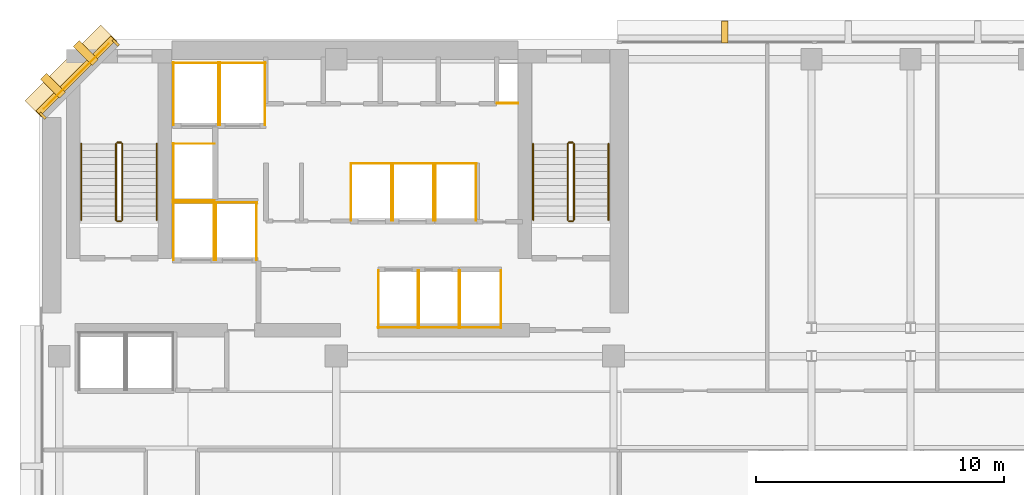
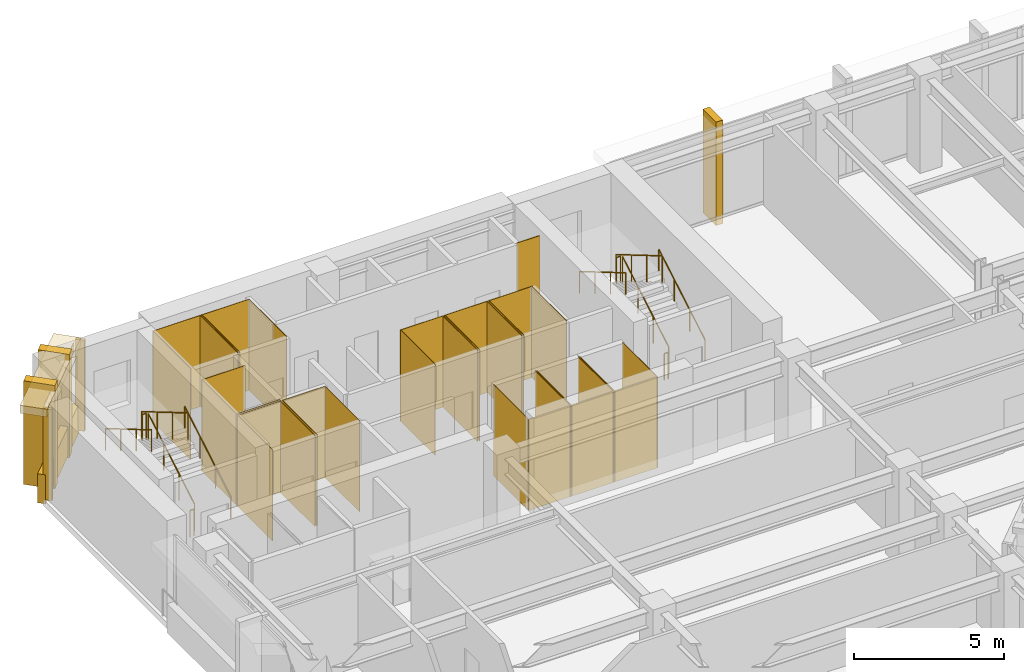
# One storey, part 10 of 11: 42 coverings, 12 railings.
"""IFC4 building model written with IfcOpenShell, lengths in metres."""

import ifcopenshell
import ifcopenshell.guid

model = None  # the IFC model being written
_history = None  # IfcOwnerHistory: only IFC2X3 demands one
_inside = {}  # id of a spatial element -> (the spatial element, [elements in it])
_under = {}  # id of a project, library or spatial element -> (it, [spatial elements below it])
_declared = {}  # id of a project -> (the project, [libraries it declares])
_typed = {}  # id of a type object -> (the type object, [elements of that type])
_made_of = {}  # id of a material, layer set ... -> (it, [elements and type objects made of it])


def new_model(schema):
    """Start an empty IFC model of exactly this schema.

    Asked for "IFC4X3", IfcOpenShell would pick the latest addendum, in which some entities
    have other attributes; the version numbers below select the first issue.
    IFC2X3 requires an IfcOwnerHistory on every rooted entity: one is made here for all.
    """
    global model, _history
    if schema == "IFC4X3":
        model = ifcopenshell.file(schema_version=(4, 3, 0, 0))
    else:
        model = ifcopenshell.file(schema=schema)
    _inside.clear()
    _under.clear()
    _declared.clear()
    _typed.clear()
    _made_of.clear()
    _history = None
    if model.schema == "IFC2X3":
        org = make("IfcOrganization", Name="unknown")
        user = make(
            "IfcPersonAndOrganization",
            ThePerson=make("IfcPerson", FamilyName="unknown"),
            TheOrganization=org,
        )
        app = make(
            "IfcApplication",
            ApplicationDeveloper=org,
            Version="unknown",
            ApplicationFullName="unknown",
            ApplicationIdentifier="unknown",
        )
        _history = make(
            "IfcOwnerHistory",
            OwningUser=user,
            OwningApplication=app,
            ChangeAction="ADDED",
            CreationDate=0,
        )
    return model


def make(cls, **values):
    """One entity of the class cls with the attributes given. An attribute that is None is left unset."""
    return model.create_entity(
        cls, **{name: value for name, value in values.items() if value is not None}
    )


def rooted(cls, **values):
    """An entity with a GlobalId (a new one), such as an element, a storey or a relation."""
    return make(cls, GlobalId=ifcopenshell.guid.new(), OwnerHistory=_history, **values)


def si_unit(unit_type, name, prefix=None):
    """IfcSIUnit, for example si_unit("LENGTHUNIT", "METRE", prefix="MILLI")."""
    return make("IfcSIUnit", UnitType=unit_type, Prefix=prefix, Name=name)


def assignment(units):
    """IfcUnitAssignment: the units of a project."""
    return None if units is None else make("IfcUnitAssignment", Units=units)


def point(xyz):
    """IfcCartesianPoint."""
    return None if xyz is None else make("IfcCartesianPoint", Coordinates=xyz)


def direction(xyz):
    """IfcDirection."""
    return None if xyz is None else make("IfcDirection", DirectionRatios=xyz)


def frame(location, z_axis=None, x_axis=None):
    """IfcAxis2Placement3D, a coordinate frame: its origin and axes. An axis left out is left unset."""
    return make(
        "IfcAxis2Placement3D",
        Location=point(location),
        Axis=direction(z_axis),
        RefDirection=direction(x_axis),
    )


def frame_2d(location, x_axis=None):
    """IfcAxis2Placement2D, a coordinate frame in the plane: its origin and x axis."""
    return make(
        "IfcAxis2Placement2D", Location=point(location), RefDirection=direction(x_axis)
    )


def origin():
    """The frame at (0, 0, 0) with its axes left unset."""
    return frame((0.0, 0.0, 0.0))


def origin_2d():
    """The frame at (0, 0) in the plane with its x axis left unset."""
    return frame_2d((0.0, 0.0))


def place(relative_to, where):
    """IfcLocalPlacement: puts the frame where relative to a parent placement (None: the world)."""
    return make(
        "IfcLocalPlacement", PlacementRelTo=relative_to, RelativePlacement=where
    )


def context(
    kind, dimensions, precision=None, world=None, true_north=None, identifier=None
):
    """IfcGeometricRepresentationContext, for example the 3D "Model" context."""
    return make(
        "IfcGeometricRepresentationContext",
        ContextIdentifier=identifier,
        ContextType=kind,
        CoordinateSpaceDimension=dimensions,
        Precision=precision,
        WorldCoordinateSystem=world,
        TrueNorth=true_north,
    )


def subcontext(parent, identifier, kind, view, scale=None):
    """IfcGeometricRepresentationSubContext, for example "Body" below "Model"."""
    return make(
        "IfcGeometricRepresentationSubContext",
        ContextIdentifier=identifier,
        ContextType=kind,
        ParentContext=parent,
        TargetScale=scale,
        TargetView=view,
    )


def project(units=None, contexts=None):
    """IfcProject with its units and contexts."""
    return rooted(
        "IfcProject",
        Name="project",
        RepresentationContexts=contexts,
        UnitsInContext=assignment(units),
    )


def spatial(cls, under=None, at=None, **own):
    """A site, building, storey or space (cls), placed at a placement, below another one or the project."""
    s = rooted(cls, ObjectPlacement=at, **own)
    if under is not None:
        _under.setdefault(under.id(), (under, []))[1].append(s)
    return s


def polyline(points):
    """IfcPolyline through the points."""
    return make("IfcPolyline", Points=[point(p) for p in points])


def profile(cls, at=None, kind="AREA", **sizes):
    """A parametric profile (cls). Its sizes go by their IFC names, for example OverallWidth=200.0."""
    return make(cls, ProfileType=kind, Position=at, **sizes)


def rectangle(**sizes):
    """IfcRectangleProfileDef."""
    return profile("IfcRectangleProfileDef", **sizes)


def circle(**sizes):
    """IfcCircleProfileDef."""
    return profile("IfcCircleProfileDef", **sizes)


def outline(outer, holes=None, kind="AREA"):
    """IfcArbitraryClosedProfileDef: a profile drawn as a closed curve; with holes, ...WithVoids."""
    if holes is None:
        return make("IfcArbitraryClosedProfileDef", ProfileType=kind, OuterCurve=outer)
    return make(
        "IfcArbitraryProfileDefWithVoids",
        ProfileType=kind,
        OuterCurve=outer,
        InnerCurves=holes,
    )


def extrude(swept, where, along, depth):
    """IfcExtrudedAreaSolid: the profile swept, set in the frame where, extruded along a direction by depth."""
    return make(
        "IfcExtrudedAreaSolid",
        SweptArea=swept,
        Position=where,
        ExtrudedDirection=direction(along),
        Depth=depth,
    )


def shape(context_of_items, identifier, shape_type, items):
    """IfcShapeRepresentation: the items that make up one representation, for example the "Body"."""
    return make(
        "IfcShapeRepresentation",
        ContextOfItems=context_of_items,
        RepresentationIdentifier=identifier,
        RepresentationType=shape_type,
        Items=items,
    )


def material(Name=None, Category=None):
    """IfcMaterial."""
    return make("IfcMaterial", Name=Name, Category=Category)


def layer(
    of_material, thickness, ventilated=None, Name=None, Category=None, Priority=None
):
    """IfcMaterialLayer: one layer of a wall or slab, of a material (None: an air gap)."""
    return make(
        "IfcMaterialLayer",
        Material=of_material,
        LayerThickness=thickness,
        IsVentilated=ventilated,
        Name=Name,
        Category=Category,
        Priority=Priority,
    )


def layer_set(layers, Name=None):
    """IfcMaterialLayerSet."""
    return make("IfcMaterialLayerSet", MaterialLayers=layers, LayerSetName=Name)


def made_of(thing, what):
    """Note that an element or type object is made of a material, layer set ...; save() writes the relation."""
    if what is not None:
        _made_of.setdefault(what.id(), (what, []))[1].append(thing)
    return thing


def type_object(cls, material=None, **own):
    """A type object (cls), such as IfcWallType, which elements share."""
    return made_of(rooted(cls, **own), material)


def element(
    cls,
    number,
    at=None,
    inside=None,
    cuts=None,
    type_object=None,
    material=None,
    context=None,
    identifier="Body",
    shape_type=None,
    held_by="IfcProductDefinitionShape",
    body=None,
    shapes=None,
    **own,
):
    """One element of the class cls, such as IfcWall. Its Tag is "e" and its number.

    at: its placement. inside: the storey or other place that contains it. cuts: it is an
    opening in that element (IfcRelVoidsElement). A single representation is given by context,
    identifier, shape_type and body (its items); several are given by shapes. held_by: the class
    of the entity that holds the representations. save() writes the other relations.
    """
    e = rooted(cls, Tag="e%d" % number, ObjectPlacement=at, **own)
    if body is not None:
        shapes = [shape(context, identifier, shape_type, body)]
    if shapes is not None:
        e.Representation = make(held_by, Representations=shapes)
    if inside is not None:
        _inside.setdefault(inside.id(), (inside, []))[1].append(e)
    if cuts is not None:
        rooted(
            "IfcRelVoidsElement", RelatingBuildingElement=cuts, RelatedOpeningElement=e
        )
    if type_object is not None:
        _typed.setdefault(type_object.id(), (type_object, []))[1].append(e)
    return made_of(e, material)


def aggregate(whole, parts):
    """IfcRelAggregates: a whole, such as a stair, and the parts it consists of."""
    return rooted("IfcRelAggregates", RelatingObject=whole, RelatedObjects=parts)


def save(model, path):
    """Write the relations noted so far, then the file.

    IfcRelAggregates (storeys below a building ...), IfcRelContainedInSpatialStructure (elements
    in a storey), IfcRelDefinesByType, IfcRelAssociatesMaterial and IfcRelDeclares: one each for
    every whole, place, type object, material and project.
    """
    for whole, parts in _under.values():
        aggregate(whole, parts)
    for where, things in _inside.values():
        rooted(
            "IfcRelContainedInSpatialStructure",
            RelatedElements=things,
            RelatingStructure=where,
        )
    for kind, things in _typed.values():
        rooted("IfcRelDefinesByType", RelatedObjects=things, RelatingType=kind)
    for what, things in _made_of.values():
        rooted("IfcRelAssociatesMaterial", RelatedObjects=things, RelatingMaterial=what)
    for by, libraries in _declared.values():
        rooted("IfcRelDeclares", RelatingContext=by, RelatedDefinitions=libraries)
    model.write(path)


model = new_model("IFC4")

# Units and contexts
model_context = context("Model", 3, precision=1e-05, world=origin(), true_north=direction((0.0, 1.0)))
body_context = subcontext(model_context, "Body", "Model", "MODEL_VIEW")
ifc_project = project(units=[si_unit("LENGTHUNIT", "METRE"), si_unit("AREAUNIT", "SQUARE_METRE"), si_unit("VOLUMEUNIT", "CUBIC_METRE"), si_unit("PLANEANGLEUNIT", "RADIAN"), si_unit("MASSUNIT", "GRAM", prefix="KILO")], contexts=[model_context])

# Site, building, storey
site_placement = place(None, origin())
site = spatial("IfcSite", under=ifc_project, at=site_placement, CompositionType="ELEMENT")
building_placement = place(site_placement, origin())
building = spatial("IfcBuilding", under=site, at=building_placement, Name="Kefirva Bronze Tower", CompositionType="ELEMENT")
storey_placement = place(building_placement, frame((0.0, 0.0, 134.969970703125)))
storey = spatial("IfcBuildingStorey", under=building, at=storey_placement, Name="L32", CompositionType="ELEMENT", Elevation=134.969970703125)

# Coverings
ifc_material_1 = material(Name="Bronze anodised aluminium", Category="aluminium")
ifc_layer_1 = layer(ifc_material_1, 0.02001953125, Name="Bronze anodised aluminium")
ifc_layer_set_1 = layer_set([ifc_layer_1], Name="Bronze anodised aluminium")
covering_type_1 = type_object("IfcCoveringType", Name="Anodised Bronze Spandrel Cladding 20mm", PredefinedType="CLADDING", material=ifc_layer_set_1)
covering_1_placement = place(storey_placement, frame((1.492919921875, 44.507080078125, 3.2900390625), z_axis=(0.0, 0.0, 1.0), x_axis=(-0.707106781187, -0.707106781187, 0.0)))
element("IfcCovering", 1, at=covering_1_placement, inside=storey, type_object=covering_type_1, Name="L32 Bronze Spandrel Cladding 5", PredefinedType="CLADDING", context=body_context, shape_type="SweptSolid", body=[
    extrude(rectangle(XDim=3.719482421875, YDim=0.02001953125, at=origin_2d()), origin(), (0.0, 0.0, 1.0), 0.39990234375),
])
for number, where, z_axis, x_axis, name in (
    (2, (3.08837890625, 45.862060546875, 0.0), (0.0, 0.0, 1.0), (-0.707106781187, -0.707106781187, 0.0), "L32 Facade Joint Closure Panel 5S"),
    (3, (0.137939453125, 42.91162109375, 0.0), (0.0, 0.0, 1.0), (-0.707106781187, -0.707106781187, 0.0), "L32 Facade Joint Closure Panel 5E"),
):
    element("IfcCovering", number, at=place(storey_placement, frame(where, z_axis=z_axis, x_axis=x_axis)), inside=storey, type_object=covering_type_1, Name=name, PredefinedType="CLADDING", context=body_context, shape_type="SweptSolid", body=[
        extrude(rectangle(XDim=0.10009765625, YDim=0.320068359375, at=origin_2d()), origin(), (0.0, 0.0, 1.0), 3.7099609375),
    ])
covering_2_placement = place(storey_placement, frame((1.4716796875, 44.5283203125, -0.16015625), z_axis=(0.0, 0.0, 1.0), x_axis=(-0.707106781187, -0.707106781187, 0.0)))
element("IfcCovering", 4, at=covering_2_placement, inside=storey, type_object=covering_type_1, Name="L32 Streamline Horizontal Spandrel Band 9", PredefinedType="CLADDING", context=body_context, shape_type="SweptSolid", body=[
    extrude(rectangle(XDim=4.28271484375, YDim=0.280029296875, at=origin_2d()), origin(), (0.0, 0.0, 1.0), 1.179931640625),
])
covering_3_placement = place(storey_placement, origin())
element("IfcCovering", 5, at=covering_3_placement, inside=storey, type_object=covering_type_1, Name="L32 Lift FF1 Hoistway Liner N", PredefinedType="CLADDING", context=body_context, shape_type="SweptSolid", body=[
    extrude(outline(polyline([(5.39990234375, 39.389892578125), (7.080078125, 39.389892578125), (7.080078125, 39.409912109375), (5.39990234375, 39.409912109375), (5.39990234375, 39.389892578125)])), origin(), (0.0, 0.0, 1.0), 3.7099609375),
])
covering_4_placement = place(storey_placement, origin())
element("IfcCovering", 6, at=covering_4_placement, inside=storey, type_object=covering_type_1, Name="L32 Lift FF1 Hoistway Liner W", PredefinedType="CLADDING", context=body_context, shape_type="SweptSolid", body=[
    extrude(outline(polyline([(5.409912109375, 37.080078125), (5.429931640625, 37.080078125), (5.429931640625, 39.419921875), (5.409912109375, 39.419921875), (5.409912109375, 37.080078125)])), origin(), (0.0, 0.0, 1.0), 3.7099609375),
])
covering_5_placement = place(storey_placement, origin())
element("IfcCovering", 7, at=covering_5_placement, inside=storey, type_object=covering_type_1, Name="L32 Lift FF1 Hoistway Liner E", PredefinedType="CLADDING", context=body_context, shape_type="SweptSolid", body=[
    extrude(outline(polyline([(7.050048828125, 37.080078125), (7.070068359375, 37.080078125), (7.070068359375, 39.419921875), (7.050048828125, 39.419921875), (7.050048828125, 37.080078125)])), origin(), (0.0, 0.0, 1.0), 3.7099609375),
])
covering_6_placement = place(storey_placement, origin())
element("IfcCovering", 8, at=covering_6_placement, inside=storey, type_object=covering_type_1, Name="L32 Lift FF2 Hoistway Liner N", PredefinedType="CLADDING", context=body_context, shape_type="SweptSolid", body=[
    extrude(outline(polyline([(7.1201171875, 39.389892578125), (8.800048828125, 39.389892578125), (8.800048828125, 39.409912109375), (7.1201171875, 39.409912109375), (7.1201171875, 39.389892578125)])), origin(), (0.0, 0.0, 1.0), 3.7099609375),
])
covering_7_placement = place(storey_placement, origin())
element("IfcCovering", 9, at=covering_7_placement, inside=storey, type_object=covering_type_1, Name="L32 Lift FF2 Hoistway Liner W", PredefinedType="CLADDING", context=body_context, shape_type="SweptSolid", body=[
    extrude(outline(polyline([(7.1298828125, 37.080078125), (7.14990234375, 37.080078125), (7.14990234375, 39.419921875), (7.1298828125, 39.419921875), (7.1298828125, 37.080078125)])), origin(), (0.0, 0.0, 1.0), 3.7099609375),
])
covering_8_placement = place(storey_placement, origin())
element("IfcCovering", 10, at=covering_8_placement, inside=storey, type_object=covering_type_1, Name="L32 Lift FF2 Hoistway Liner E", PredefinedType="CLADDING", context=body_context, shape_type="SweptSolid", body=[
    extrude(outline(polyline([(8.77001953125, 37.080078125), (8.7900390625, 37.080078125), (8.7900390625, 39.419921875), (8.77001953125, 39.419921875), (8.77001953125, 37.080078125)])), origin(), (0.0, 0.0, 1.0), 3.7099609375),
])
covering_9_placement = place(storey_placement, origin())
element("IfcCovering", 11, at=covering_9_placement, inside=storey, type_object=covering_type_1, Name="L32 Lift SV1 Hoistway Liner N", PredefinedType="CLADDING", context=body_context, shape_type="SweptSolid", body=[
    extrude(outline(polyline([(5.39990234375, 45.0400390625), (7.260009765625, 45.0400390625), (7.260009765625, 45.06005859375), (5.39990234375, 45.06005859375), (5.39990234375, 45.0400390625)])), origin(), (0.0, 0.0, 1.0), 3.7099609375),
])
covering_10_placement = place(storey_placement, origin())
element("IfcCovering", 12, at=covering_10_placement, inside=storey, type_object=covering_type_1, Name="L32 Lift SV1 Hoistway Liner W", PredefinedType="CLADDING", context=body_context, shape_type="SweptSolid", body=[
    extrude(outline(polyline([(5.409912109375, 42.530029296875), (5.429931640625, 42.530029296875), (5.429931640625, 45.070068359375), (5.409912109375, 45.070068359375), (5.409912109375, 42.530029296875)])), origin(), (0.0, 0.0, 1.0), 3.7099609375),
])
covering_11_placement = place(storey_placement, origin())
element("IfcCovering", 13, at=covering_11_placement, inside=storey, type_object=covering_type_1, Name="L32 Lift SV1 Hoistway Liner E", PredefinedType="CLADDING", context=body_context, shape_type="SweptSolid", body=[
    extrude(outline(polyline([(7.22998046875, 42.530029296875), (7.25, 42.530029296875), (7.25, 45.070068359375), (7.22998046875, 45.070068359375), (7.22998046875, 42.530029296875)])), origin(), (0.0, 0.0, 1.0), 3.7099609375),
])
covering_12_placement = place(storey_placement, origin())
element("IfcCovering", 14, at=covering_12_placement, inside=storey, type_object=covering_type_1, Name="L32 Lift SV2 Hoistway Liner N", PredefinedType="CLADDING", context=body_context, shape_type="SweptSolid", body=[
    extrude(outline(polyline([(7.280029296875, 45.0400390625), (9.139892578125, 45.0400390625), (9.139892578125, 45.06005859375), (7.280029296875, 45.06005859375), (7.280029296875, 45.0400390625)])), origin(), (0.0, 0.0, 1.0), 3.7099609375),
])
covering_13_placement = place(storey_placement, origin())
element("IfcCovering", 15, at=covering_13_placement, inside=storey, type_object=covering_type_1, Name="L32 Lift SV2 Hoistway Liner W", PredefinedType="CLADDING", context=body_context, shape_type="SweptSolid", body=[
    extrude(outline(polyline([(7.2900390625, 42.530029296875), (7.31005859375, 42.530029296875), (7.31005859375, 45.070068359375), (7.2900390625, 45.070068359375), (7.2900390625, 42.530029296875)])), origin(), (0.0, 0.0, 1.0), 3.7099609375),
])
covering_14_placement = place(storey_placement, origin())
element("IfcCovering", 16, at=covering_14_placement, inside=storey, type_object=covering_type_1, Name="L32 Lift SV2 Hoistway Liner E", PredefinedType="CLADDING", context=body_context, shape_type="SweptSolid", body=[
    extrude(outline(polyline([(9.110107421875, 42.530029296875), (9.1298828125, 42.530029296875), (9.1298828125, 45.070068359375), (9.110107421875, 45.070068359375), (9.110107421875, 42.530029296875)])), origin(), (0.0, 0.0, 1.0), 3.7099609375),
])
covering_15_placement = place(storey_placement, origin())
element("IfcCovering", 17, at=covering_15_placement, inside=storey, type_object=covering_type_1, Name="L32 Lift MP1 Hoistway Liner S", PredefinedType="CLADDING", context=body_context, shape_type="SweptSolid", body=[
    extrude(outline(polyline([(13.679931640625, 34.340087890625), (15.320068359375, 34.340087890625), (15.320068359375, 34.360107421875), (13.679931640625, 34.360107421875), (13.679931640625, 34.340087890625)])), origin(), (0.0, 0.0, 1.0), 3.7099609375),
])
covering_16_placement = place(storey_placement, origin())
element("IfcCovering", 18, at=covering_16_placement, inside=storey, type_object=covering_type_1, Name="L32 Lift MP1 Hoistway Liner W", PredefinedType="CLADDING", context=body_context, shape_type="SweptSolid", body=[
    extrude(outline(polyline([(13.68994140625, 34.330078125), (13.7099609375, 34.330078125), (13.7099609375, 36.669921875), (13.68994140625, 36.669921875), (13.68994140625, 34.330078125)])), origin(), (0.0, 0.0, 1.0), 3.7099609375),
])
covering_17_placement = place(storey_placement, origin())
element("IfcCovering", 19, at=covering_17_placement, inside=storey, type_object=covering_type_1, Name="L32 Lift MP1 Hoistway Liner E", PredefinedType="CLADDING", context=body_context, shape_type="SweptSolid", body=[
    extrude(outline(polyline([(15.2900390625, 34.330078125), (15.31005859375, 34.330078125), (15.31005859375, 36.669921875), (15.2900390625, 36.669921875), (15.2900390625, 34.330078125)])), origin(), (0.0, 0.0, 1.0), 3.7099609375),
])
covering_18_placement = place(storey_placement, origin())
element("IfcCovering", 20, at=covering_18_placement, inside=storey, type_object=covering_type_1, Name="L32 Lift MP2 Hoistway Liner S", PredefinedType="CLADDING", context=body_context, shape_type="SweptSolid", body=[
    extrude(outline(polyline([(15.330078125, 34.340087890625), (16.969970703125, 34.340087890625), (16.969970703125, 34.360107421875), (15.330078125, 34.360107421875), (15.330078125, 34.340087890625)])), origin(), (0.0, 0.0, 1.0), 3.7099609375),
])
covering_19_placement = place(storey_placement, origin())
element("IfcCovering", 21, at=covering_19_placement, inside=storey, type_object=covering_type_1, Name="L32 Lift MP2 Hoistway Liner W", PredefinedType="CLADDING", context=body_context, shape_type="SweptSolid", body=[
    extrude(outline(polyline([(15.340087890625, 34.330078125), (15.360107421875, 34.330078125), (15.360107421875, 36.669921875), (15.340087890625, 36.669921875), (15.340087890625, 34.330078125)])), origin(), (0.0, 0.0, 1.0), 3.7099609375),
])
covering_20_placement = place(storey_placement, origin())
element("IfcCovering", 22, at=covering_20_placement, inside=storey, type_object=covering_type_1, Name="L32 Lift MP2 Hoistway Liner E", PredefinedType="CLADDING", context=body_context, shape_type="SweptSolid", body=[
    extrude(outline(polyline([(16.93994140625, 34.330078125), (16.9599609375, 34.330078125), (16.9599609375, 36.669921875), (16.93994140625, 36.669921875), (16.93994140625, 34.330078125)])), origin(), (0.0, 0.0, 1.0), 3.7099609375),
])
covering_21_placement = place(storey_placement, origin())
element("IfcCovering", 23, at=covering_21_placement, inside=storey, type_object=covering_type_1, Name="L32 Lift MP3 Hoistway Liner N", PredefinedType="CLADDING", context=body_context, shape_type="SweptSolid", body=[
    extrude(outline(polyline([(12.580078125, 40.969970703125), (14.25, 40.969970703125), (14.25, 40.989990234375), (12.580078125, 40.989990234375), (12.580078125, 40.969970703125)])), origin(), (0.0, 0.0, 1.0), 3.7099609375),
])
covering_22_placement = place(storey_placement, origin())
element("IfcCovering", 24, at=covering_22_placement, inside=storey, type_object=covering_type_1, Name="L32 Lift MP3 Hoistway Liner W", PredefinedType="CLADDING", context=body_context, shape_type="SweptSolid", body=[
    extrude(outline(polyline([(12.590087890625, 38.659912109375), (12.610107421875, 38.659912109375), (12.610107421875, 41.0), (12.590087890625, 41.0), (12.590087890625, 38.659912109375)])), origin(), (0.0, 0.0, 1.0), 3.7099609375),
])
covering_23_placement = place(storey_placement, origin())
element("IfcCovering", 25, at=covering_23_placement, inside=storey, type_object=covering_type_1, Name="L32 Lift MP3 Hoistway Liner E", PredefinedType="CLADDING", context=body_context, shape_type="SweptSolid", body=[
    extrude(outline(polyline([(14.219970703125, 38.659912109375), (14.239990234375, 38.659912109375), (14.239990234375, 41.0), (14.219970703125, 41.0), (14.219970703125, 38.659912109375)])), origin(), (0.0, 0.0, 1.0), 3.7099609375),
])
covering_24_placement = place(storey_placement, origin())
element("IfcCovering", 26, at=covering_24_placement, inside=storey, type_object=covering_type_1, Name="L32 Lift MP4 Hoistway Liner N", PredefinedType="CLADDING", context=body_context, shape_type="SweptSolid", body=[
    extrude(outline(polyline([(14.280029296875, 40.969970703125), (15.949951171875, 40.969970703125), (15.949951171875, 40.989990234375), (14.280029296875, 40.989990234375), (14.280029296875, 40.969970703125)])), origin(), (0.0, 0.0, 1.0), 3.7099609375),
])
covering_25_placement = place(storey_placement, origin())
element("IfcCovering", 27, at=covering_25_placement, inside=storey, type_object=covering_type_1, Name="L32 Lift MP4 Hoistway Liner W", PredefinedType="CLADDING", context=body_context, shape_type="SweptSolid", body=[
    extrude(outline(polyline([(14.2900390625, 38.659912109375), (14.31005859375, 38.659912109375), (14.31005859375, 41.0), (14.2900390625, 41.0), (14.2900390625, 38.659912109375)])), origin(), (0.0, 0.0, 1.0), 3.7099609375),
])
covering_26_placement = place(storey_placement, origin())
element("IfcCovering", 28, at=covering_26_placement, inside=storey, type_object=covering_type_1, Name="L32 Lift MP4 Hoistway Liner E", PredefinedType="CLADDING", context=body_context, shape_type="SweptSolid", body=[
    extrude(outline(polyline([(15.919921875, 38.659912109375), (15.93994140625, 38.659912109375), (15.93994140625, 41.0), (15.919921875, 41.0), (15.919921875, 38.659912109375)])), origin(), (0.0, 0.0, 1.0), 3.7099609375),
])
covering_27_placement = place(storey_placement, origin())
element("IfcCovering", 29, at=covering_27_placement, inside=storey, type_object=covering_type_1, Name="L32 Lift HP1 Hoistway Liner S", PredefinedType="CLADDING", context=body_context, shape_type="SweptSolid", body=[
    extrude(outline(polyline([(16.97998046875, 34.340087890625), (18.669921875, 34.340087890625), (18.669921875, 34.360107421875), (16.97998046875, 34.360107421875), (16.97998046875, 34.340087890625)])), origin(), (0.0, 0.0, 1.0), 3.7099609375),
])
covering_28_placement = place(storey_placement, origin())
element("IfcCovering", 30, at=covering_28_placement, inside=storey, type_object=covering_type_1, Name="L32 Lift HP1 Hoistway Liner W", PredefinedType="CLADDING", context=body_context, shape_type="SweptSolid", body=[
    extrude(outline(polyline([(16.989990234375, 34.330078125), (17.010009765625, 34.330078125), (17.010009765625, 36.669921875), (16.989990234375, 36.669921875), (16.989990234375, 34.330078125)])), origin(), (0.0, 0.0, 1.0), 3.7099609375),
])
covering_29_placement = place(storey_placement, origin())
element("IfcCovering", 31, at=covering_29_placement, inside=storey, type_object=covering_type_1, Name="L32 Lift HP1 Hoistway Liner E", PredefinedType="CLADDING", context=body_context, shape_type="SweptSolid", body=[
    extrude(outline(polyline([(18.639892578125, 34.330078125), (18.659912109375, 34.330078125), (18.659912109375, 36.669921875), (18.639892578125, 36.669921875), (18.639892578125, 34.330078125)])), origin(), (0.0, 0.0, 1.0), 3.7099609375),
])
covering_30_placement = place(storey_placement, origin())
element("IfcCovering", 32, at=covering_30_placement, inside=storey, type_object=covering_type_1, Name="L32 Lift HP2 Hoistway Liner N", PredefinedType="CLADDING", context=body_context, shape_type="SweptSolid", body=[
    extrude(outline(polyline([(15.97998046875, 40.969970703125), (17.669921875, 40.969970703125), (17.669921875, 40.989990234375), (15.97998046875, 40.989990234375), (15.97998046875, 40.969970703125)])), origin(), (0.0, 0.0, 1.0), 3.7099609375),
])
covering_31_placement = place(storey_placement, origin())
element("IfcCovering", 33, at=covering_31_placement, inside=storey, type_object=covering_type_1, Name="L32 Lift HP2 Hoistway Liner W", PredefinedType="CLADDING", context=body_context, shape_type="SweptSolid", body=[
    extrude(outline(polyline([(15.989990234375, 38.659912109375), (16.010009765625, 38.659912109375), (16.010009765625, 41.0), (15.989990234375, 41.0), (15.989990234375, 38.659912109375)])), origin(), (0.0, 0.0, 1.0), 3.7099609375),
])
covering_32_placement = place(storey_placement, origin())
element("IfcCovering", 34, at=covering_32_placement, inside=storey, type_object=covering_type_1, Name="L32 Lift HP2 Hoistway Liner E", PredefinedType="CLADDING", context=body_context, shape_type="SweptSolid", body=[
    extrude(outline(polyline([(17.639892578125, 38.659912109375), (17.659912109375, 38.659912109375), (17.659912109375, 41.0), (17.639892578125, 41.0), (17.639892578125, 38.659912109375)])), origin(), (0.0, 0.0, 1.0), 3.7099609375),
])
covering_33_placement = place(storey_placement, origin())
element("IfcCovering", 35, at=covering_33_placement, inside=storey, type_object=covering_type_1, Name="L32 Lift HP3 Hoistway Liner N", PredefinedType="CLADDING", context=body_context, shape_type="SweptSolid", body=[
    extrude(outline(polyline([(5.39990234375, 41.77001953125), (7.080078125, 41.77001953125), (7.080078125, 41.7900390625), (5.39990234375, 41.7900390625), (5.39990234375, 41.77001953125)])), origin(), (0.0, 0.0, 1.0), 3.7099609375),
])
covering_34_placement = place(storey_placement, origin())
element("IfcCovering", 36, at=covering_34_placement, inside=storey, type_object=covering_type_1, Name="L32 Lift HP3 Hoistway Liner S", PredefinedType="CLADDING", context=body_context, shape_type="SweptSolid", body=[
    extrude(outline(polyline([(5.39990234375, 39.469970703125), (7.080078125, 39.469970703125), (7.080078125, 39.489990234375), (5.39990234375, 39.489990234375), (5.39990234375, 39.469970703125)])), origin(), (0.0, 0.0, 1.0), 3.7099609375),
])
covering_35_placement = place(storey_placement, origin())
element("IfcCovering", 37, at=covering_35_placement, inside=storey, type_object=covering_type_1, Name="L32 Lift HP3 Hoistway Liner W", PredefinedType="CLADDING", context=body_context, shape_type="SweptSolid", body=[
    extrude(outline(polyline([(5.409912109375, 39.4599609375), (5.429931640625, 39.4599609375), (5.429931640625, 41.800048828125), (5.409912109375, 41.800048828125), (5.409912109375, 39.4599609375)])), origin(), (0.0, 0.0, 1.0), 3.7099609375),
])
covering_36_placement = place(storey_placement, origin())
element("IfcCovering", 38, at=covering_36_placement, inside=storey, type_object=covering_type_1, Name="L32 Core MEP Riser Shaft Liner South", PredefinedType="CLADDING", context=body_context, shape_type="SweptSolid", body=[
    extrude(outline(polyline([(18.47998046875, 43.39990234375), (19.360107421875, 43.39990234375), (19.360107421875, 43.429931640625), (18.47998046875, 43.429931640625), (18.47998046875, 43.39990234375)])), origin(), (0.0, 0.0, 1.0), 3.7099609375),
])

# Railings
ifc_material_2 = material(Name="Stainless steel 316", Category="steel")
railing_type_1 = type_object("IfcRailingType", Name="Interior Stair Guardrail 1100mm", PredefinedType="GUARDRAIL", material=ifc_material_2)
railing_1_placement = place(storey_placement, frame((3.35009765625, 38.699951171875, 0.1650390625)))
element("IfcRailing", 39, at=railing_1_placement, inside=storey, type_object=railing_type_1, Name="L32 ST-1 stair guard 1", PredefinedType="GUARDRAIL", context=body_context, shape_type="SweptSolid", body=[
    extrude(circle(Radius=0.02392578125, at=origin_2d()), frame((0.0, 0.0, 1.076171875), z_axis=(0.0, 0.861551262678, 0.507670583921), x_axis=(-1.0, 0.0, 0.0)), (0.0, 0.0, 1.0), 3.574951171875),
    extrude(circle(Radius=0.02099609375, at=origin_2d()), origin(), (0.0, 0.0, 1.0), 1.052001953125),
    extrude(circle(Radius=0.02099609375, at=origin_2d()), frame((0.0, 1.026611328125, 0.60498046875)), (0.0, 0.0, 1.0), 1.052001953125),
    extrude(circle(Radius=0.02099609375, at=origin_2d()), frame((0.0, 2.053466796875, 1.2099609375)), (0.0, 0.0, 1.0), 1.052001953125),
    extrude(circle(Radius=0.02099609375, at=origin_2d()), frame((0.0, 3.080078125, 1.81494140625)), (0.0, 0.0, 1.0), 1.052001953125),
])
railing_2_placement = place(storey_placement, frame((3.300048828125, 41.830078125, 1.97998046875)))
element("IfcRailing", 40, at=railing_2_placement, inside=storey, type_object=railing_type_1, Name="L32 ST-1 stair guard 2", PredefinedType="GUARDRAIL", context=body_context, shape_type="SweptSolid", body=[
    extrude(circle(Radius=0.02392578125, at=origin_2d()), frame((0.0, 0.0, 1.076171875), z_axis=(-1.0, 0.0, 0.0), x_axis=(0.0, -1.0, 0.0)), (0.0, 0.0, 1.0), 0.150146484375),
    extrude(circle(Radius=0.02099609375, at=origin_2d()), origin(), (0.0, 0.0, 1.0), 1.052001953125),
    extrude(circle(Radius=0.02099609375, at=origin_2d()), frame((-0.150146484375, 0.0, 0.0)), (0.0, 0.0, 1.0), 1.052001953125),
])
railing_3_placement = place(storey_placement, frame((3.10009765625, 41.780029296875, 2.14501953125)))
element("IfcRailing", 41, at=railing_3_placement, inside=storey, type_object=railing_type_1, Name="L32 ST-1 stair guard 3", PredefinedType="GUARDRAIL", context=body_context, shape_type="SweptSolid", body=[
    extrude(circle(Radius=0.02392578125, at=origin_2d()), frame((0.0, 0.0, 1.076171875), z_axis=(0.0, -0.861551262678, 0.507670583921), x_axis=(1.0, 0.0, 0.0)), (0.0, 0.0, 1.0), 3.574951171875),
    extrude(circle(Radius=0.02099609375, at=origin_2d()), origin(), (0.0, 0.0, 1.0), 1.052001953125),
    extrude(circle(Radius=0.02099609375, at=origin_2d()), frame((0.0, -1.026611328125, 0.60498046875)), (0.0, 0.0, 1.0), 1.052001953125),
    extrude(circle(Radius=0.02099609375, at=origin_2d()), frame((0.0, -2.053466796875, 1.2099609375)), (0.0, 0.0, 1.0), 1.052001953125),
    extrude(circle(Radius=0.02099609375, at=origin_2d()), frame((0.0, -3.080078125, 1.81494140625)), (0.0, 0.0, 1.0), 1.052001953125),
])
railing_4_placement = place(storey_placement, frame((3.300048828125, 38.64990234375, 0.0)))
element("IfcRailing", 42, at=railing_4_placement, inside=storey, type_object=railing_type_1, Name="L32 ST-1 stair guard 4", PredefinedType="GUARDRAIL", context=body_context, shape_type="SweptSolid", body=[
    extrude(circle(Radius=0.02392578125, at=origin_2d()), frame((0.0, 0.0, 1.076171875), z_axis=(-1.0, 0.0, 0.0), x_axis=(0.0, -1.0, 0.0)), (0.0, 0.0, 1.0), 0.150146484375),
    extrude(circle(Radius=0.02099609375, at=origin_2d()), origin(), (0.0, 0.0, 1.0), 1.052001953125),
    extrude(circle(Radius=0.02099609375, at=origin_2d()), frame((-0.150146484375, 0.0, 0.0)), (0.0, 0.0, 1.0), 1.052001953125),
])
railing_5_placement = place(storey_placement, frame((21.60009765625, 38.699951171875, 0.1650390625)))
element("IfcRailing", 43, at=railing_5_placement, inside=storey, type_object=railing_type_1, Name="L32 ST-2 stair guard 1", PredefinedType="GUARDRAIL", context=body_context, shape_type="SweptSolid", body=[
    extrude(circle(Radius=0.02392578125, at=origin_2d()), frame((0.0, 0.0, 1.076171875), z_axis=(0.0, 0.861551262678, 0.507670583921), x_axis=(-1.0, 0.0, 0.0)), (0.0, 0.0, 1.0), 3.574951171875),
    extrude(circle(Radius=0.02099609375, at=origin_2d()), origin(), (0.0, 0.0, 1.0), 1.052001953125),
    extrude(circle(Radius=0.02099609375, at=origin_2d()), frame((0.0, 1.026611328125, 0.60498046875)), (0.0, 0.0, 1.0), 1.052001953125),
    extrude(circle(Radius=0.02099609375, at=origin_2d()), frame((0.0, 2.053466796875, 1.2099609375)), (0.0, 0.0, 1.0), 1.052001953125),
    extrude(circle(Radius=0.02099609375, at=origin_2d()), frame((0.0, 3.080078125, 1.81494140625)), (0.0, 0.0, 1.0), 1.052001953125),
])
railing_6_placement = place(storey_placement, frame((21.550048828125, 41.830078125, 1.97998046875)))
element("IfcRailing", 44, at=railing_6_placement, inside=storey, type_object=railing_type_1, Name="L32 ST-2 stair guard 2", PredefinedType="GUARDRAIL", context=body_context, shape_type="SweptSolid", body=[
    extrude(circle(Radius=0.02392578125, at=origin_2d()), frame((0.0, 0.0, 1.076171875), z_axis=(-1.0, 0.0, 0.0), x_axis=(0.0, -1.0, 0.0)), (0.0, 0.0, 1.0), 0.150146484375),
    extrude(circle(Radius=0.02099609375, at=origin_2d()), origin(), (0.0, 0.0, 1.0), 1.052001953125),
    extrude(circle(Radius=0.02099609375, at=origin_2d()), frame((-0.150146484375, 0.0, 0.0)), (0.0, 0.0, 1.0), 1.052001953125),
])
railing_7_placement = place(storey_placement, frame((21.35009765625, 41.780029296875, 2.14501953125)))
element("IfcRailing", 45, at=railing_7_placement, inside=storey, type_object=railing_type_1, Name="L32 ST-2 stair guard 3", PredefinedType="GUARDRAIL", context=body_context, shape_type="SweptSolid", body=[
    extrude(circle(Radius=0.02392578125, at=origin_2d()), frame((0.0, 0.0, 1.076171875), z_axis=(0.0, -0.861551262678, 0.507670583921), x_axis=(1.0, 0.0, 0.0)), (0.0, 0.0, 1.0), 3.574951171875),
    extrude(circle(Radius=0.02099609375, at=origin_2d()), origin(), (0.0, 0.0, 1.0), 1.052001953125),
    extrude(circle(Radius=0.02099609375, at=origin_2d()), frame((0.0, -1.026611328125, 0.60498046875)), (0.0, 0.0, 1.0), 1.052001953125),
    extrude(circle(Radius=0.02099609375, at=origin_2d()), frame((0.0, -2.053466796875, 1.2099609375)), (0.0, 0.0, 1.0), 1.052001953125),
    extrude(circle(Radius=0.02099609375, at=origin_2d()), frame((0.0, -3.080078125, 1.81494140625)), (0.0, 0.0, 1.0), 1.052001953125),
])
railing_8_placement = place(storey_placement, frame((21.550048828125, 38.64990234375, 0.0)))
element("IfcRailing", 46, at=railing_8_placement, inside=storey, type_object=railing_type_1, Name="L32 ST-2 stair guard 4", PredefinedType="GUARDRAIL", context=body_context, shape_type="SweptSolid", body=[
    extrude(circle(Radius=0.02392578125, at=origin_2d()), frame((0.0, 0.0, 1.076171875), z_axis=(-1.0, 0.0, 0.0), x_axis=(0.0, -1.0, 0.0)), (0.0, 0.0, 1.0), 0.150146484375),
    extrude(circle(Radius=0.02099609375, at=origin_2d()), origin(), (0.0, 0.0, 1.0), 1.052001953125),
    extrude(circle(Radius=0.02099609375, at=origin_2d()), frame((-0.150146484375, 0.0, 0.0)), (0.0, 0.0, 1.0), 1.052001953125),
])
railing_type_2 = type_object("IfcRailingType", Name="Stair Pitch Handrail 900mm", PredefinedType="HANDRAIL", material=ifc_material_2)
railing_9_placement = place(storey_placement, frame((4.75, 38.699951171875, 0.1650390625)))
element("IfcRailing", 47, at=railing_9_placement, inside=storey, type_object=railing_type_2, Name="L32 ST-1 stair handrail 1", PredefinedType="HANDRAIL", context=body_context, shape_type="SweptSolid", body=[
    extrude(circle(Radius=0.02392578125, at=origin_2d()), frame((0.0, 0.0, 0.8759765625), z_axis=(0.0, 0.861551262678, 0.507670583921), x_axis=(-1.0, 0.0, 0.0)), (0.0, 0.0, 1.0), 3.574951171875),
    extrude(circle(Radius=0.02099609375, at=origin_2d()), origin(), (0.0, 0.0, 1.0), 0.851806640625),
    extrude(circle(Radius=0.02099609375, at=origin_2d()), frame((0.0, 1.026611328125, 0.60498046875)), (0.0, 0.0, 1.0), 0.851806640625),
    extrude(circle(Radius=0.02099609375, at=origin_2d()), frame((0.0, 2.053466796875, 1.2099609375)), (0.0, 0.0, 1.0), 0.851806640625),
    extrude(circle(Radius=0.02099609375, at=origin_2d()), frame((0.0, 3.080078125, 1.81494140625)), (0.0, 0.0, 1.0), 0.851806640625),
])
railing_10_placement = place(storey_placement, frame((1.699951171875, 41.780029296875, 2.14501953125)))
element("IfcRailing", 48, at=railing_10_placement, inside=storey, type_object=railing_type_2, Name="L32 ST-1 stair handrail 2", PredefinedType="HANDRAIL", context=body_context, shape_type="SweptSolid", body=[
    extrude(circle(Radius=0.02392578125, at=origin_2d()), frame((0.0, 0.0, 0.8759765625), z_axis=(0.0, -0.861551262678, 0.507670583921), x_axis=(1.0, 0.0, 0.0)), (0.0, 0.0, 1.0), 3.574951171875),
    extrude(circle(Radius=0.02099609375, at=origin_2d()), origin(), (0.0, 0.0, 1.0), 0.851806640625),
    extrude(circle(Radius=0.02099609375, at=origin_2d()), frame((0.0, -1.026611328125, 0.60498046875)), (0.0, 0.0, 1.0), 0.851806640625),
    extrude(circle(Radius=0.02099609375, at=origin_2d()), frame((0.0, -2.053466796875, 1.2099609375)), (0.0, 0.0, 1.0), 0.851806640625),
    extrude(circle(Radius=0.02099609375, at=origin_2d()), frame((0.0, -3.080078125, 1.81494140625)), (0.0, 0.0, 1.0), 0.851806640625),
])
railing_11_placement = place(storey_placement, frame((23.0, 38.699951171875, 0.1650390625)))
element("IfcRailing", 49, at=railing_11_placement, inside=storey, type_object=railing_type_2, Name="L32 ST-2 stair handrail 1", PredefinedType="HANDRAIL", context=body_context, shape_type="SweptSolid", body=[
    extrude(circle(Radius=0.02392578125, at=origin_2d()), frame((0.0, 0.0, 0.8759765625), z_axis=(0.0, 0.861551262678, 0.507670583921), x_axis=(-1.0, 0.0, 0.0)), (0.0, 0.0, 1.0), 3.574951171875),
    extrude(circle(Radius=0.02099609375, at=origin_2d()), origin(), (0.0, 0.0, 1.0), 0.851806640625),
    extrude(circle(Radius=0.02099609375, at=origin_2d()), frame((0.0, 1.026611328125, 0.60498046875)), (0.0, 0.0, 1.0), 0.851806640625),
    extrude(circle(Radius=0.02099609375, at=origin_2d()), frame((0.0, 2.053466796875, 1.2099609375)), (0.0, 0.0, 1.0), 0.851806640625),
    extrude(circle(Radius=0.02099609375, at=origin_2d()), frame((0.0, 3.080078125, 1.81494140625)), (0.0, 0.0, 1.0), 0.851806640625),
])
railing_12_placement = place(storey_placement, frame((19.949951171875, 41.780029296875, 2.14501953125)))
element("IfcRailing", 50, at=railing_12_placement, inside=storey, type_object=railing_type_2, Name="L32 ST-2 stair handrail 2", PredefinedType="HANDRAIL", context=body_context, shape_type="SweptSolid", body=[
    extrude(circle(Radius=0.02392578125, at=origin_2d()), frame((0.0, 0.0, 0.8759765625), z_axis=(0.0, -0.861551262678, 0.507670583921), x_axis=(1.0, 0.0, 0.0)), (0.0, 0.0, 1.0), 3.574951171875),
    extrude(circle(Radius=0.02099609375, at=origin_2d()), origin(), (0.0, 0.0, 1.0), 0.851806640625),
    extrude(circle(Radius=0.02099609375, at=origin_2d()), frame((0.0, -1.026611328125, 0.60498046875)), (0.0, 0.0, 1.0), 0.851806640625),
    extrude(circle(Radius=0.02099609375, at=origin_2d()), frame((0.0, -2.053466796875, 1.2099609375)), (0.0, 0.0, 1.0), 0.851806640625),
    extrude(circle(Radius=0.02099609375, at=origin_2d()), frame((0.0, -3.080078125, 1.81494140625)), (0.0, 0.0, 1.0), 0.851806640625),
])

# Coverings
ifc_layer_2 = layer(ifc_material_1, 0.179931640625, Name="Bronze anodised aluminium")
ifc_layer_set_2 = layer_set([ifc_layer_2], Name="Bronze anodised aluminium")
covering_type_2 = type_object("IfcCoveringType", Name="Streamline Bronze Sunshade Eyebrow Cladding 180mm", PredefinedType="CLADDING", material=ifc_layer_set_2)
covering_37_placement = place(storey_placement, frame((1.28076171875, 44.71923828125, 3.39013671875), z_axis=(0.0, 0.0, 1.0), x_axis=(-0.707106781187, -0.707106781187, 0.0)))
element("IfcCovering", 51, at=covering_37_placement, inside=storey, type_object=covering_type_2, Name="L32 Streamline Bronze Sunshade Eyebrow 9", PredefinedType="CLADDING", context=body_context, shape_type="SweptSolid", body=[
    extrude(rectangle(XDim=4.322509765625, YDim=0.93994140625, at=origin_2d()), origin(), (0.0, 0.0, 1.0), 0.320068359375),
])
ifc_layer_3 = layer(ifc_material_1, 0.260009765625, Name="Bronze anodised aluminium")
ifc_layer_set_3 = layer_set([ifc_layer_3], Name="Bronze anodised aluminium")
covering_type_3 = type_object("IfcCoveringType", Name="Unbroken Bronze Buttress Fin Cladding 260mm", PredefinedType="CLADDING", material=ifc_layer_set_3)
covering_38_placement = place(storey_placement, frame((27.68798828125, 46.300048828125, -0.25), z_axis=(0.0, 0.0, 1.0), x_axis=(-1.0, 0.0, 0.0)))
element("IfcCovering", 52, at=covering_38_placement, inside=storey, type_object=covering_type_3, Name="L32 Unbroken Vertical Bronze Rib Fin 20", PredefinedType="CLADDING", context=body_context, shape_type="SweptSolid", body=[
    extrude(rectangle(XDim=0.260009765625, YDim=0.8798828125, at=origin_2d()), origin(), (0.0, 0.0, 1.0), 4.2099609375),
])
for number, where, z_axis, x_axis, name in (
    (53, (1.877197265625, 45.44287109375, -0.25), (0.0, 0.0, 1.0), (-0.707106781187, -0.707106781187, 0.0), "L32 Chamfered Corner Buttress Fin Cladding 21"),
    (54, (0.55712890625, 44.122802734375, -0.25), (0.0, 0.0, 1.0), (-0.707106781187, -0.707106781187, 0.0), "L32 Chamfered Corner Buttress Fin Cladding 22"),
):
    element("IfcCovering", number, at=place(storey_placement, frame(where, z_axis=z_axis, x_axis=x_axis)), inside=storey, type_object=covering_type_3, Name=name, PredefinedType="CLADDING", context=body_context, shape_type="SweptSolid", body=[
        extrude(rectangle(XDim=0.340087890625, YDim=1.080078125, at=origin_2d()), origin(), (0.0, 0.0, 1.0), 4.2099609375),
    ])

save(model, "model.ifc")
